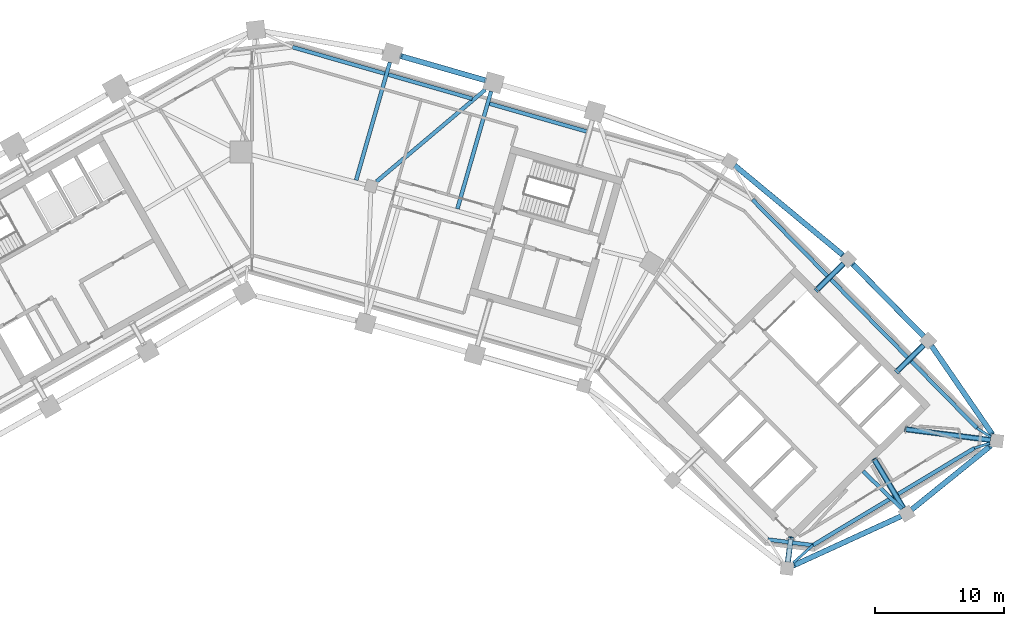
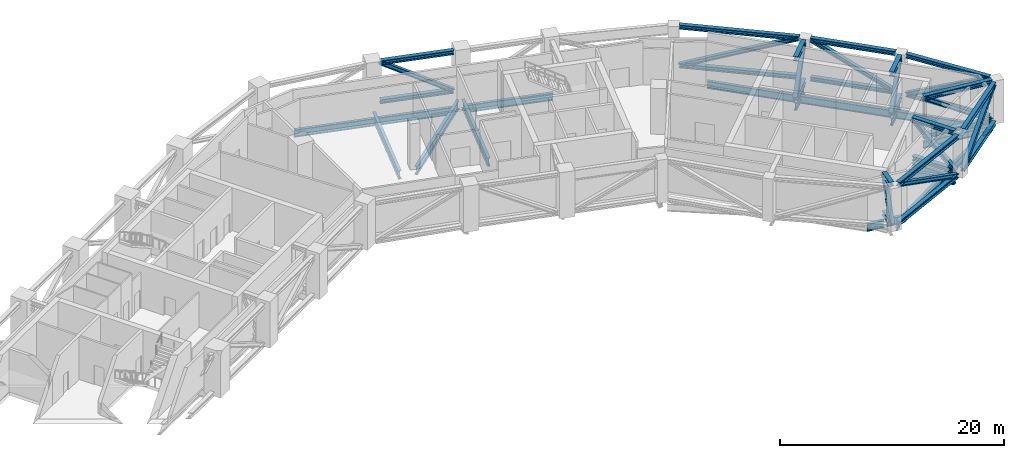
# One storey, part 4 of 16: 33 members, 21 beams.
"""IFC4 building model written with IfcOpenShell, lengths in metres."""

from ifc_helpers import new_model, si_unit, direction, frame, origin, origin_2d, place, context, subcontext, project, spatial, i_section, extrude, material, material_profile, profile_set, type_object, element, save


model = new_model("IFC4")

# Units and contexts
model_context = context("Model", 3, precision=1e-05, world=origin(), true_north=direction((0.0, 1.0)))
body_context = subcontext(model_context, "Body", "Model", "MODEL_VIEW")
ifc_project = project(units=[si_unit("LENGTHUNIT", "METRE"), si_unit("AREAUNIT", "SQUARE_METRE"), si_unit("VOLUMEUNIT", "CUBIC_METRE"), si_unit("PLANEANGLEUNIT", "RADIAN"), si_unit("MASSUNIT", "GRAM", prefix="KILO")], contexts=[model_context])

# Site, building, storey
site_placement = place(None, origin())
site = spatial("IfcSite", under=ifc_project, at=site_placement, CompositionType="ELEMENT")
building_placement = place(site_placement, origin())
building = spatial("IfcBuilding", under=site, at=building_placement, Name="Binnacle Exchange Tower", CompositionType="ELEMENT")
storey_placement = place(building_placement, frame((0.0, 0.0, 149.89990234375)))
storey = spatial("IfcBuildingStorey", under=building, at=storey_placement, Name="L31", CompositionType="ELEMENT", Elevation=149.89990234375)

# Members
ifc_material_1 = material(Name="Steel S460 (SHN460)", Category="steel")
ifc_material_profile_1 = material_profile(ifc_material_1, i_section(OverallWidth=0.4169921875, OverallDepth=0.4580078125, WebThickness=0.030029296875, FlangeThickness=0.050048828125, FilletRadius=0.02197265625, at=origin_2d()), Name="H 458x417x30x50")
ifc_profile_set_1 = profile_set([ifc_material_profile_1], Name="Steel S460 (SHN460)")
member_type_1 = type_object("IfcMemberType", Name="Belt truss chord BT31C H 458x417x30x50 Steel S460 (SHN460)", PredefinedType="CHORD", material=ifc_profile_set_1)
for number, where, z_axis, x_axis, name in (
    (1, (18.073486328125, 65.569091796875, 4.451171875), (-0.961258249907, 0.275649373272, 0.0), (-0.275649373272, -0.961258249907, 0.0), "S:TR:L31:BEL:007"),
    (2, (18.073486328125, 65.569091796875, 0.22900390625), (-0.961258249907, 0.275649373272, 0.0), (-0.275649373272, -0.961258249907, 0.0), "S:TR:L31:BEL:008"),
):
    element("IfcMember", number, at=place(storey_placement, frame(where, z_axis=z_axis, x_axis=x_axis)), inside=storey, type_object=member_type_1, Name=name, PredefinedType="CHORD", context=body_context, shape_type="SweptSolid", body=[
        extrude(i_section(OverallWidth=0.4169921875, OverallDepth=0.4580078125, WebThickness=0.030029296875, FlangeThickness=0.050048828125, FilletRadius=0.02197265625, at=origin_2d()), origin(), (0.0, 0.0, 1.0), 6.77294921875),
    ])
for number, where, z_axis, x_axis, name in (
    (3, (42.054931640625, 27.919921875, 4.451171875), (0.909166515566, 0.41643276405, 0.0), (-0.41643276405, 0.909166515566, 0.0), "S:TR:L31:BEL:070"),
    (4, (42.054931640625, 27.919921875, 0.22900390625), (0.909166515566, 0.41643276405, 0.0), (-0.41643276405, 0.909166515566, 0.0), "S:TR:L31:BEL:071"),
):
    element("IfcMember", number, at=place(storey_placement, frame(where, z_axis=z_axis, x_axis=x_axis)), inside=storey, type_object=member_type_1, Name=name, PredefinedType="CHORD", context=body_context, shape_type="SweptSolid", body=[
        extrude(i_section(OverallWidth=0.4169921875, OverallDepth=0.4580078125, WebThickness=0.030029296875, FlangeThickness=0.050048828125, FilletRadius=0.02197265625, at=origin_2d()), origin(), (0.0, 0.0, 1.0), 9.128662109375),
    ])
for number, where, z_axis, x_axis, name in (
    (5, (51.20458984375, 32.248291015625, 4.451171875), (0.777570349394, 0.628795953981, 0.0), (-0.628795953981, 0.777570349394, 0.0), "S:TR:L31:BEL:073"),
    (6, (51.20458984375, 32.248291015625, 0.22900390625), (0.777570349394, 0.628795953981, 0.0), (-0.628795953981, 0.777570349394, 0.0), "S:TR:L31:BEL:074"),
):
    element("IfcMember", number, at=place(storey_placement, frame(where, z_axis=z_axis, x_axis=x_axis)), inside=storey, type_object=member_type_1, Name=name, PredefinedType="CHORD", context=body_context, shape_type="SweptSolid", body=[
        extrude(i_section(OverallWidth=0.4169921875, OverallDepth=0.4580078125, WebThickness=0.030029296875, FlangeThickness=0.050048828125, FilletRadius=0.02197265625, at=origin_2d()), origin(), (0.0, 0.0, 1.0), 7.788330078125),
    ])
for number, where, z_axis, x_axis, name in (
    (7, (57.41943359375, 38.13330078125, 4.451171875), (-0.566410561214, 0.824123216604, 0.0), (-0.824123216604, -0.566410561214, 0.0), "S:TR:L31:BEL:076"),
    (8, (57.41943359375, 38.13330078125, 0.22900390625), (-0.566410561214, 0.824123216604, 0.0), (-0.824123216604, -0.566410561214, 0.0), "S:TR:L31:BEL:077"),
):
    element("IfcMember", number, at=place(storey_placement, frame(where, z_axis=z_axis, x_axis=x_axis)), inside=storey, type_object=member_type_1, Name=name, PredefinedType="CHORD", context=body_context, shape_type="SweptSolid", body=[
        extrude(i_section(OverallWidth=0.4169921875, OverallDepth=0.4580078125, WebThickness=0.030029296875, FlangeThickness=0.050048828125, FilletRadius=0.02197265625, at=origin_2d()), origin(), (0.0, 0.0, 1.0), 8.236083984375),
    ])
for number, where, z_axis, x_axis, name in (
    (9, (52.1162109375, 45.69580078125, 4.451171875), (-0.700892629455, 0.713266795789, 0.0), (-0.713266795789, -0.700892629455, 0.0), "S:TR:L31:BEL:079"),
    (10, (52.1162109375, 45.69580078125, 0.22900390625), (-0.700892629455, 0.713266795789, 0.0), (-0.713266795789, -0.700892629455, 0.0), "S:TR:L31:BEL:080"),
):
    element("IfcMember", number, at=place(storey_placement, frame(where, z_axis=z_axis, x_axis=x_axis)), inside=storey, type_object=member_type_1, Name=name, PredefinedType="CHORD", context=body_context, shape_type="SweptSolid", body=[
        extrude(i_section(OverallWidth=0.4169921875, OverallDepth=0.4580078125, WebThickness=0.030029296875, FlangeThickness=0.050048828125, FilletRadius=0.02197265625, at=origin_2d()), origin(), (0.0, 0.0, 1.0), 7.872314453125),
    ])
for number, where, z_axis, x_axis, name in (
    (11, (45.861083984375, 51.988037109375, 4.451171875), (-0.769903256509, 0.63816061898, 0.0), (-0.63816061898, -0.769903256509, 0.0), "S:TR:L31:BEL:082"),
    (12, (45.861083984375, 51.988037109375, 0.22900390625), (-0.769903256509, 0.63816061898, 0.0), (-0.63816061898, -0.769903256509, 0.0), "S:TR:L31:BEL:083"),
):
    element("IfcMember", number, at=place(storey_placement, frame(where, z_axis=z_axis, x_axis=x_axis)), inside=storey, type_object=member_type_1, Name=name, PredefinedType="CHORD", context=body_context, shape_type="SweptSolid", body=[
        extrude(i_section(OverallWidth=0.4169921875, OverallDepth=0.4580078125, WebThickness=0.030029296875, FlangeThickness=0.050048828125, FilletRadius=0.02197265625, at=origin_2d()), origin(), (0.0, 0.0, 1.0), 10.892822265625),
    ])
ifc_material_2 = material(Name="Steel S355 (SHN355)", Category="steel")
ifc_material_profile_2 = material_profile(ifc_material_2, i_section(OverallWidth=0.403076171875, OverallDepth=0.406005859375, WebThickness=0.01611328125, FlangeThickness=0.02392578125, FilletRadius=0.02197265625, at=origin_2d()), Name="H 406x403x16x24")
ifc_profile_set_2 = profile_set([ifc_material_profile_2], Name="Steel S355 (SHN355)")
member_type_2 = type_object("IfcMemberType", Name="Belt truss diagonal BT31D H 406x403x16x24 Steel S355 (SHN355)", PredefinedType="BRACE", material=ifc_profile_set_2)
member_1_placement = place(storey_placement, frame((18.073486328125, 65.569091796875, 0.22900390625), z_axis=(-0.815734269946, 0.233919074597, 0.529017454698), x_axis=(-0.275649373272, -0.961258249907, 0.0)))
element("IfcMember", 13, at=member_1_placement, inside=storey, type_object=member_type_2, Name="S:TR:L31:BEL:009", PredefinedType="BRACE", context=body_context, shape_type="SweptSolid", body=[
    extrude(i_section(OverallWidth=0.403076171875, OverallDepth=0.406005859375, WebThickness=0.01611328125, FlangeThickness=0.02392578125, FilletRadius=0.02197265625, at=origin_2d()), origin(), (0.0, 0.0, 1.0), 7.981201171875),
])
member_2_placement = place(storey_placement, frame((42.054931640625, 27.919921875, 4.451171875), z_axis=(0.825180061275, 0.377963780971, -0.419787144571), x_axis=(-0.41643276405, 0.909166515566, 0.0)))
element("IfcMember", 14, at=member_2_placement, inside=storey, type_object=member_type_2, Name="S:TR:L31:BEL:072", PredefinedType="BRACE", context=body_context, shape_type="SweptSolid", body=[
    extrude(i_section(OverallWidth=0.403076171875, OverallDepth=0.406005859375, WebThickness=0.01611328125, FlangeThickness=0.02392578125, FilletRadius=0.02197265625, at=origin_2d()), origin(), (0.0, 0.0, 1.0), 10.057861328125),
])
member_3_placement = place(storey_placement, frame((51.20458984375, 32.248291015625, 0.22900390625), z_axis=(0.683581366643, 0.552790108183, 0.476591661146), x_axis=(-0.628795953981, 0.777570349394, 0.0)))
element("IfcMember", 15, at=member_3_placement, inside=storey, type_object=member_type_2, Name="S:TR:L31:BEL:075", PredefinedType="BRACE", context=body_context, shape_type="SweptSolid", body=[
    extrude(i_section(OverallWidth=0.403076171875, OverallDepth=0.406005859375, WebThickness=0.01611328125, FlangeThickness=0.02392578125, FilletRadius=0.02197265625, at=origin_2d()), origin(), (0.0, 0.0, 1.0), 8.859130859375),
])
member_4_placement = place(storey_placement, frame((57.41943359375, 38.13330078125, 4.451171875), z_axis=(-0.504039170488, 0.733373300079, -0.456188686122), x_axis=(-0.824123216604, -0.566410561214, 0.0)))
element("IfcMember", 16, at=member_4_placement, inside=storey, type_object=member_type_2, Name="S:TR:L31:BEL:078", PredefinedType="BRACE", context=body_context, shape_type="SweptSolid", body=[
    extrude(i_section(OverallWidth=0.403076171875, OverallDepth=0.406005859375, WebThickness=0.01611328125, FlangeThickness=0.02392578125, FilletRadius=0.02197265625, at=origin_2d()), origin(), (0.0, 0.0, 1.0), 9.25537109375),
])
member_5_placement = place(storey_placement, frame((52.1162109375, 45.69580078125, 0.22900390625), z_axis=(-0.617662400856, 0.628567148553, 0.472648387629), x_axis=(-0.713266795789, -0.700892629455, 0.0)))
element("IfcMember", 17, at=member_5_placement, inside=storey, type_object=member_type_2, Name="S:TR:L31:BEL:081", PredefinedType="BRACE", context=body_context, shape_type="SweptSolid", body=[
    extrude(i_section(OverallWidth=0.403076171875, OverallDepth=0.406005859375, WebThickness=0.01611328125, FlangeThickness=0.02392578125, FilletRadius=0.02197265625, at=origin_2d()), origin(), (0.0, 0.0, 1.0), 8.93310546875),
])
member_6_placement = place(storey_placement, frame((45.861083984375, 51.988037109375, 4.451171875), z_axis=(-0.717863706023, 0.595025859556, -0.361408253965), x_axis=(-0.63816061898, -0.769903256509, 0.0)))
element("IfcMember", 18, at=member_6_placement, inside=storey, type_object=member_type_2, Name="S:TR:L31:BEL:084", PredefinedType="BRACE", context=body_context, shape_type="SweptSolid", body=[
    extrude(i_section(OverallWidth=0.403076171875, OverallDepth=0.406005859375, WebThickness=0.01611328125, FlangeThickness=0.02392578125, FilletRadius=0.02197265625, at=origin_2d()), origin(), (0.0, 0.0, 1.0), 11.6826171875),
])

# Beams
ifc_material_profile_3 = material_profile(ifc_material_2, i_section(OverallWidth=0.300048828125, OverallDepth=0.800048828125, WebThickness=0.013916015625, FlangeThickness=0.02587890625, FilletRadius=0.028076171875, at=origin_2d()), Name="H 800x300x14x26")
ifc_profile_set_3 = profile_set([ifc_material_profile_3], Name="Steel S355 (SHN355)")
beam_type_1 = type_object("IfcBeamType", Name="Edge girder H 800x300x14x26 Steel S355 (SHN355)", PredefinedType="SPANDREL", material=ifc_profile_set_3)
beam_1_placement = place(storey_placement, frame((3.1298828125, 68.1376953125, -0.75), z_axis=(0.96125760514, -0.275651621726, 0.0), x_axis=(0.275651621726, 0.96125760514, 0.0)))
element("IfcBeam", 19, at=beam_1_placement, inside=storey, type_object=beam_type_1, Name="S:BM:edge:L31:033", PredefinedType="SPANDREL", context=body_context, shape_type="SweptSolid", body=[
    extrude(i_section(OverallWidth=0.300048828125, OverallDepth=0.800048828125, WebThickness=0.013916015625, FlangeThickness=0.02587890625, FilletRadius=0.028076171875, at=origin_2d()), origin(), (0.0, 0.0, 1.0), 7.449462890625),
])
beam_2_placement = place(storey_placement, frame((10.5791015625, 66.001708984375, -0.75), z_axis=(0.961253963763, -0.275664319689, 0.0), x_axis=(0.275664319689, 0.961253963763, 0.0)))
element("IfcBeam", 20, at=beam_2_placement, inside=storey, type_object=beam_type_1, Name="S:BM:edge:L31:035", PredefinedType="SPANDREL", context=body_context, shape_type="SweptSolid", body=[
    extrude(i_section(OverallWidth=0.300048828125, OverallDepth=0.800048828125, WebThickness=0.013916015625, FlangeThickness=0.02587890625, FilletRadius=0.028076171875, at=origin_2d()), origin(), (0.0, 0.0, 1.0), 6.76806640625),
])
beam_3_placement = place(storey_placement, frame((18.435546875, 63.748779296875, -0.75), z_axis=(0.961260218753, -0.275642507323, 0.0), x_axis=(0.275642507323, 0.961260218753, 0.0)))
element("IfcBeam", 21, at=beam_3_placement, inside=storey, type_object=beam_type_1, Name="S:BM:edge:L31:037", PredefinedType="SPANDREL", context=body_context, shape_type="SweptSolid", body=[
    extrude(i_section(OverallWidth=0.300048828125, OverallDepth=0.800048828125, WebThickness=0.013916015625, FlangeThickness=0.02587890625, FilletRadius=0.028076171875, at=origin_2d()), origin(), (0.0, 0.0, 1.0), 7.873046875),
])
beam_4_placement = place(storey_placement, frame((38.833251953125, 56.302490234375, -0.75), z_axis=(0.700898201799, -0.713261320075, 0.0), x_axis=(0.713261320075, 0.700898201799, 0.0)))
element("IfcBeam", 22, at=beam_4_placement, inside=storey, type_object=beam_type_1, Name="S:BM:edge:L31:043", PredefinedType="SPANDREL", context=body_context, shape_type="SweptSolid", body=[
    extrude(i_section(OverallWidth=0.300048828125, OverallDepth=0.800048828125, WebThickness=0.013916015625, FlangeThickness=0.02587890625, FilletRadius=0.028076171875, at=origin_2d()), origin(), (0.0, 0.0, 1.0), 8.353271484375),
])
beam_5_placement = place(storey_placement, frame((41.6279296875, 29.717529296875, -0.75), z_axis=(-0.992007233584, 0.126181014882, 0.0), x_axis=(-0.126181014882, -0.992007233584, 0.0)))
element("IfcBeam", 23, at=beam_5_placement, inside=storey, type_object=beam_type_1, Name="S:BM:edge:L31:045", PredefinedType="SPANDREL", context=body_context, shape_type="SweptSolid", body=[
    extrude(i_section(OverallWidth=0.300048828125, OverallDepth=0.800048828125, WebThickness=0.013916015625, FlangeThickness=0.02587890625, FilletRadius=0.028076171875, at=origin_2d()), origin(), (0.0, 0.0, 1.0), 1.60986328125),
])
beam_6_placement = place(storey_placement, frame((43.5234375, 29.476318359375, -0.75), z_axis=(-0.991997911724, 0.126254279674, 0.0), x_axis=(-0.126254279674, -0.991997911724, 0.0)))
element("IfcBeam", 24, at=beam_6_placement, inside=storey, type_object=beam_type_1, Name="S:BM:edge:L31:046", PredefinedType="SPANDREL", context=body_context, shape_type="SweptSolid", body=[
    extrude(i_section(OverallWidth=0.300048828125, OverallDepth=0.800048828125, WebThickness=0.013916015625, FlangeThickness=0.02587890625, FilletRadius=0.028076171875, at=origin_2d()), origin(), (0.0, 0.0, 1.0), 1.61083984375),
])
beam_7_placement = place(storey_placement, frame((44.898193359375, 50.130615234375, -0.75), z_axis=(0.700899302003, -0.713260238939, 0.0), x_axis=(0.713260238939, 0.700899302003, 0.0)))
element("IfcBeam", 25, at=beam_7_placement, inside=storey, type_object=beam_type_1, Name="S:BM:edge:L31:047", PredefinedType="SPANDREL", context=body_context, shape_type="SweptSolid", body=[
    extrude(i_section(OverallWidth=0.300048828125, OverallDepth=0.800048828125, WebThickness=0.013916015625, FlangeThickness=0.02587890625, FilletRadius=0.028076171875, at=origin_2d()), origin(), (0.0, 0.0, 1.0), 8.572021484375),
])
beam_8_placement = place(storey_placement, frame((49.833984375, 33.268310546875, -0.75), z_axis=(-0.857153323442, -0.515061336262, 0.0), x_axis=(0.515061336262, -0.857153323442, 0.0)))
element("IfcBeam", 26, at=beam_8_placement, inside=storey, type_object=beam_type_1, Name="S:BM:edge:L31:048", PredefinedType="SPANDREL", context=body_context, shape_type="SweptSolid", body=[
    extrude(i_section(OverallWidth=0.300048828125, OverallDepth=0.800048828125, WebThickness=0.013916015625, FlangeThickness=0.02587890625, FilletRadius=0.028076171875, at=origin_2d()), origin(), (0.0, 0.0, 1.0), 7.3623046875),
])
beam_9_placement = place(storey_placement, frame((51.11669921875, 43.802734375, -0.75), z_axis=(0.700893017941, -0.713266414043, 0.0), x_axis=(0.713266414043, 0.700893017941, 0.0)))
element("IfcBeam", 27, at=beam_9_placement, inside=storey, type_object=beam_type_1, Name="S:BM:edge:L31:049", PredefinedType="SPANDREL", context=body_context, shape_type="SweptSolid", body=[
    extrude(i_section(OverallWidth=0.300048828125, OverallDepth=0.800048828125, WebThickness=0.013916015625, FlangeThickness=0.02587890625, FilletRadius=0.028076171875, at=origin_2d()), origin(), (0.0, 0.0, 1.0), 7.340087890625),
])
beam_10_placement = place(storey_placement, frame((56.063232421875, 37.010986328125, -0.75), z_axis=(-0.857161910898, -0.515047044944, 0.0), x_axis=(0.515047044944, -0.857161910898, 0.0)))
element("IfcBeam", 28, at=beam_10_placement, inside=storey, type_object=beam_type_1, Name="S:BM:edge:L31:050", PredefinedType="SPANDREL", context=body_context, shape_type="SweptSolid", body=[
    extrude(i_section(OverallWidth=0.300048828125, OverallDepth=0.800048828125, WebThickness=0.013916015625, FlangeThickness=0.02587890625, FilletRadius=0.028076171875, at=origin_2d()), origin(), (0.0, 0.0, 1.0), 6.967041015625),
])
ifc_material_profile_4 = material_profile(ifc_material_2, i_section(OverallWidth=0.199951171875, OverallDepth=0.39990234375, WebThickness=0.008056640625, FlangeThickness=0.012939453125, FilletRadius=0.01611328125, at=origin_2d()), Name="H 400x200x8x13")
ifc_profile_set_4 = profile_set([ifc_material_profile_4], Name="Steel S355 (SHN355)")
beam_type_2 = type_object("IfcBeamType", Name="Floor beam H 400x200x8x13 Steel S355 (SHN355)", PredefinedType="BEAM", material=ifc_profile_set_4)
beam_11_placement = place(storey_placement, frame((42.0107421875, 28.116455078125, -0.5498046875), z_axis=(0.743675983655, 0.668540224171, 0.0), x_axis=(-0.668540224171, 0.743675983655, 0.0)))
element("IfcBeam", 29, at=beam_11_placement, inside=storey, type_object=beam_type_2, Name="S:BM:cross:L31:081", PredefinedType="BEAM", context=body_context, shape_type="SweptSolid", body=[
    extrude(i_section(OverallWidth=0.199951171875, OverallDepth=0.39990234375, WebThickness=0.008056640625, FlangeThickness=0.012939453125, FilletRadius=0.01611328125, at=origin_2d()), origin(), (0.0, 0.0, 1.0), 2.0341796875),
])
beam_12_placement = place(storey_placement, frame((57.27294921875, 37.408203125, -0.5498046875), z_axis=(-0.950092655388, -0.31196786081, 0.0), x_axis=(0.31196786081, -0.950092655388, 0.0)))
element("IfcBeam", 30, at=beam_12_placement, inside=storey, type_object=beam_type_2, Name="S:BM:cross:L31:085", PredefinedType="BEAM", context=body_context, shape_type="SweptSolid", body=[
    extrude(i_section(OverallWidth=0.199951171875, OverallDepth=0.39990234375, WebThickness=0.008056640625, FlangeThickness=0.012939453125, FilletRadius=0.01611328125, at=origin_2d()), origin(), (0.0, 0.0, 1.0), 1.273193359375),
])
beam_13_placement = place(storey_placement, frame((57.3330078125, 37.8798828125, -0.5498046875), z_axis=(-0.841713811241, 0.539923939056, 0.0), x_axis=(-0.539923939056, -0.841713811241, 0.0)))
element("IfcBeam", 31, at=beam_13_placement, inside=storey, type_object=beam_type_2, Name="S:BM:cross:L31:087", PredefinedType="BEAM", context=body_context, shape_type="SweptSolid", body=[
    extrude(i_section(OverallWidth=0.199951171875, OverallDepth=0.39990234375, WebThickness=0.008056640625, FlangeThickness=0.012939453125, FilletRadius=0.01611328125, at=origin_2d()), origin(), (0.0, 0.0, 1.0), 1.2734375),
])
ifc_material_profile_5 = material_profile(ifc_material_2, i_section(OverallWidth=0.300048828125, OverallDepth=0.699951171875, WebThickness=0.012939453125, FlangeThickness=0.02392578125, FilletRadius=0.028076171875, at=origin_2d()), Name="H 700x300x13x24")
ifc_profile_set_5 = profile_set([ifc_material_profile_5], Name="Steel S355 (SHN355)")
beam_type_3 = type_object("IfcBeamType", Name="Floor beam H 700x300x13x24 Steel S355 (SHN355)", PredefinedType="BEAM", material=ifc_profile_set_5)
beam_14_placement = place(storey_placement, frame((57.302978515625, 37.64404296875, -0.699951171875), z_axis=(-0.992004198178, 0.12620487628, 0.0), x_axis=(-0.12620487628, -0.992004198178, 0.0)))
element("IfcBeam", 32, at=beam_14_placement, inside=storey, type_object=beam_type_3, Name="S:BM:cross:L31:086", PredefinedType="BEAM", context=body_context, shape_type="SweptSolid", body=[
    extrude(i_section(OverallWidth=0.300048828125, OverallDepth=0.699951171875, WebThickness=0.012939453125, FlangeThickness=0.02392578125, FilletRadius=0.028076171875, at=origin_2d()), origin(), (0.0, 0.0, 1.0), 6.63134765625),
])
ifc_material_profile_6 = material_profile(ifc_material_2, i_section(OverallWidth=0.300048828125, OverallDepth=0.800048828125, WebThickness=0.013916015625, FlangeThickness=0.02587890625, FilletRadius=0.028076171875, at=origin_2d()), Name="H 800x300x14x26")
ifc_profile_set_6 = profile_set([ifc_material_profile_6], Name="Steel S355 (SHN355)")
beam_type_4 = type_object("IfcBeamType", Name="Floor beam H 800x300x14x26 Steel S355 (SHN355)", PredefinedType="BEAM", material=ifc_profile_set_6)
beam_15_placement = place(storey_placement, frame((45.8916015625, 51.31689453125, -0.75), z_axis=(-0.713272005304, -0.700887327928, 0.0), x_axis=(0.700887327928, -0.713272005304, 0.0)))
element("IfcBeam", 33, at=beam_15_placement, inside=storey, type_object=beam_type_4, Name="S:BM:cross:L31:082", PredefinedType="BEAM", context=body_context, shape_type="SweptSolid", body=[
    extrude(i_section(OverallWidth=0.300048828125, OverallDepth=0.800048828125, WebThickness=0.013916015625, FlangeThickness=0.02587890625, FilletRadius=0.028076171875, at=origin_2d()), origin(), (0.0, 0.0, 1.0), 2.8583984375),
])
beam_16_placement = place(storey_placement, frame((50.554443359375, 32.359619140625, -0.75), z_axis=(-0.515054637465, 0.857157348697, 0.0), x_axis=(-0.857157348697, -0.515054637465, 0.0)))
element("IfcBeam", 34, at=beam_16_placement, inside=storey, type_object=beam_type_4, Name="S:BM:cross:L31:083", PredefinedType="BEAM", context=body_context, shape_type="SweptSolid", body=[
    extrude(i_section(OverallWidth=0.300048828125, OverallDepth=0.800048828125, WebThickness=0.013916015625, FlangeThickness=0.02587890625, FilletRadius=0.028076171875, at=origin_2d()), origin(), (0.0, 0.0, 1.0), 4.367431640625),
])
beam_17_placement = place(storey_placement, frame((52.110107421875, 44.98876953125, -0.75), z_axis=(-0.713272005304, -0.700887327928, 0.0), x_axis=(0.700887327928, -0.713272005304, 0.0)))
element("IfcBeam", 35, at=beam_17_placement, inside=storey, type_object=beam_type_4, Name="S:BM:cross:L31:084", PredefinedType="BEAM", context=body_context, shape_type="SweptSolid", body=[
    extrude(i_section(OverallWidth=0.300048828125, OverallDepth=0.800048828125, WebThickness=0.013916015625, FlangeThickness=0.02587890625, FilletRadius=0.028076171875, at=origin_2d()), origin(), (0.0, 0.0, 1.0), 2.8583984375),
])
ifc_material_profile_7 = material_profile(ifc_material_2, i_section(OverallWidth=0.302001953125, OverallDepth=0.912109375, WebThickness=0.01806640625, FlangeThickness=0.033935546875, FilletRadius=0.028076171875, at=origin_2d()), Name="H 912x302x18x34")
ifc_profile_set_7 = profile_set([ifc_material_profile_7], Name="Steel S355 (SHN355)")
beam_type_5 = type_object("IfcBeamType", Name="Floor beam H 912x302x18x34 Steel S355 (SHN355)", PredefinedType="BEAM", material=ifc_profile_set_7)
beam_18_placement = place(storey_placement, frame((10.697021484375, 66.9560546875, -0.805908203125), z_axis=(-0.27562260808, -0.961265924661, 0.0), x_axis=(0.961265924661, -0.27562260808, 0.0)))
element("IfcBeam", 36, at=beam_18_placement, inside=storey, type_object=beam_type_5, Name="S:BM:cross:L31:070", PredefinedType="BEAM", context=body_context, shape_type="SweptSolid", body=[
    extrude(i_section(OverallWidth=0.302001953125, OverallDepth=0.912109375, WebThickness=0.01806640625, FlangeThickness=0.033935546875, FilletRadius=0.028076171875, at=origin_2d()), origin(), (0.0, 0.0, 1.0), 9.51318359375),
])
beam_19_placement = place(storey_placement, frame((18.553466796875, 64.703369140625, -0.805908203125), z_axis=(-0.275642274849, -0.961260285415, 0.0), x_axis=(0.961260285415, -0.275642274849, 0.0)))
element("IfcBeam", 37, at=beam_19_placement, inside=storey, type_object=beam_type_5, Name="S:BM:cross:L31:072", PredefinedType="BEAM", context=body_context, shape_type="SweptSolid", body=[
    extrude(i_section(OverallWidth=0.302001953125, OverallDepth=0.912109375, WebThickness=0.01806640625, FlangeThickness=0.033935546875, FilletRadius=0.028076171875, at=origin_2d()), origin(), (0.0, 0.0, 1.0), 9.485107421875),
])

# Members
ifc_material_profile_8 = material_profile(ifc_material_1, i_section(OverallWidth=0.431884765625, OverallDepth=0.498046875, WebThickness=0.044921875, FlangeThickness=0.070068359375, FilletRadius=0.02197265625, at=origin_2d()), Name="H 498x432x45x70")
ifc_profile_set_8 = profile_set([ifc_material_profile_8], Name="Steel S460 (SHN460)")
member_type_3 = type_object("IfcMemberType", Name="Outrigger truss chord OT31C H 498x432x45x70 Steel S460 (SHN460)", PredefinedType="CHORD", material=ifc_profile_set_8)
for number, where, z_axis, x_axis, name in (
    (38, (41.582763671875, 28.1708984375, 4.43115234375), (0.126215260257, 0.992002877051, 0.0), (-0.992002877051, 0.126215260257, 0.0), "S:TR:L31:OUT:103"),
    (39, (41.582763671875, 28.1708984375, 0.2490234375), (0.126215260257, 0.992002877051, 0.0), (-0.992002877051, 0.126215260257, 0.0), "S:TR:L31:OUT:104"),
):
    element("IfcMember", number, at=place(storey_placement, frame(where, z_axis=z_axis, x_axis=x_axis)), inside=storey, type_object=member_type_3, Name=name, PredefinedType="CHORD", context=body_context, shape_type="SweptSolid", body=[
        extrude(i_section(OverallWidth=0.431884765625, OverallDepth=0.498046875, WebThickness=0.044921875, FlangeThickness=0.070068359375, FilletRadius=0.02197265625, at=origin_2d()), origin(), (0.0, 0.0, 1.0), 1.791259765625),
    ])
for number, where, z_axis, x_axis, name in (
    (40, (45.8916015625, 51.31689453125, 4.43115234375), (-0.713230064375, -0.700930007399, 0.0), (0.700930007399, -0.713230064375, 0.0), "S:TR:L31:OUT:106"),
    (41, (45.8916015625, 51.31689453125, 0.2490234375), (-0.713230064375, -0.700930007399, 0.0), (0.700930007399, -0.713230064375, 0.0), "S:TR:L31:OUT:107"),
):
    element("IfcMember", number, at=place(storey_placement, frame(where, z_axis=z_axis, x_axis=x_axis)), inside=storey, type_object=member_type_3, Name=name, PredefinedType="CHORD", context=body_context, shape_type="SweptSolid", body=[
        extrude(i_section(OverallWidth=0.431884765625, OverallDepth=0.498046875, WebThickness=0.044921875, FlangeThickness=0.070068359375, FilletRadius=0.02197265625, at=origin_2d()), origin(), (0.0, 0.0, 1.0), 2.818603515625),
    ])
for number, where, z_axis, x_axis, name in (
    (42, (50.554443359375, 32.359619140625, 4.43115234375), (-0.515018334118, 0.857179161857, 0.0), (-0.857179161857, -0.515018334118, 0.0), "S:TR:L31:OUT:109"),
    (43, (50.554443359375, 32.359619140625, 0.2490234375), (-0.515018334118, 0.857179161857, 0.0), (-0.857179161857, -0.515018334118, 0.0), "S:TR:L31:OUT:110"),
):
    element("IfcMember", number, at=place(storey_placement, frame(where, z_axis=z_axis, x_axis=x_axis)), inside=storey, type_object=member_type_3, Name=name, PredefinedType="CHORD", context=body_context, shape_type="SweptSolid", body=[
        extrude(i_section(OverallWidth=0.431884765625, OverallDepth=0.498046875, WebThickness=0.044921875, FlangeThickness=0.070068359375, FilletRadius=0.02197265625, at=origin_2d()), origin(), (0.0, 0.0, 1.0), 4.32763671875),
    ])
for number, where, z_axis, x_axis, name in (
    (44, (52.110107421875, 44.98876953125, 4.43115234375), (-0.71327336915, -0.70088593998, 0.0), (0.70088593998, -0.71327336915, 0.0), "S:TR:L31:OUT:112"),
    (45, (52.110107421875, 44.98876953125, 0.2490234375), (-0.71327336915, -0.70088593998, 0.0), (0.70088593998, -0.71327336915, 0.0), "S:TR:L31:OUT:113"),
):
    element("IfcMember", number, at=place(storey_placement, frame(where, z_axis=z_axis, x_axis=x_axis)), inside=storey, type_object=member_type_3, Name=name, PredefinedType="CHORD", context=body_context, shape_type="SweptSolid", body=[
        extrude(i_section(OverallWidth=0.431884765625, OverallDepth=0.498046875, WebThickness=0.044921875, FlangeThickness=0.070068359375, FilletRadius=0.02197265625, at=origin_2d()), origin(), (0.0, 0.0, 1.0), 2.818359375),
    ])
for number, where, z_axis, x_axis, name in (
    (46, (57.302978515625, 37.64404296875, 4.43115234375), (-0.992006006616, 0.126190660663, 0.0), (-0.126190660663, -0.992006006616, 0.0), "S:TR:L31:OUT:115"),
    (47, (57.302978515625, 37.64404296875, 0.2490234375), (-0.992006006616, 0.126190660663, 0.0), (-0.126190660663, -0.992006006616, 0.0), "S:TR:L31:OUT:116"),
):
    element("IfcMember", number, at=place(storey_placement, frame(where, z_axis=z_axis, x_axis=x_axis)), inside=storey, type_object=member_type_3, Name=name, PredefinedType="CHORD", context=body_context, shape_type="SweptSolid", body=[
        extrude(i_section(OverallWidth=0.431884765625, OverallDepth=0.498046875, WebThickness=0.044921875, FlangeThickness=0.070068359375, FilletRadius=0.02197265625, at=origin_2d()), origin(), (0.0, 0.0, 1.0), 6.591552734375),
    ])
ifc_material_profile_9 = material_profile(ifc_material_2, i_section(OverallWidth=0.406982421875, OverallDepth=0.427978515625, WebThickness=0.02001953125, FlangeThickness=0.034912109375, FilletRadius=0.02197265625, at=origin_2d()), Name="H 428x407x20x35")
ifc_profile_set_9 = profile_set([ifc_material_profile_9], Name="Steel S355 (SHN355)")
member_type_4 = type_object("IfcMemberType", Name="Outrigger truss diagonal OT31D H 428x407x20x35 Steel S355 (SHN355)", PredefinedType="BRACE", material=ifc_profile_set_9)
member_7_placement = place(storey_placement, frame((41.582763671875, 28.1708984375, 0.2490234375), z_axis=(0.049691409714, 0.390555161878, 0.919237417282), x_axis=(-0.992002877051, 0.126215260257, 0.0)))
element("IfcMember", 48, at=member_7_placement, inside=storey, type_object=member_type_4, Name="S:TR:L31:OUT:105", PredefinedType="BRACE", context=body_context, shape_type="SweptSolid", body=[
    extrude(i_section(OverallWidth=0.406982421875, OverallDepth=0.427978515625, WebThickness=0.02001953125, FlangeThickness=0.034912109375, FilletRadius=0.02197265625, at=origin_2d()), origin(), (0.0, 0.0, 1.0), 4.549560546875),
])
member_8_placement = place(storey_placement, frame((45.8916015625, 51.31689453125, 4.43115234375), z_axis=(-0.398603711247, -0.391729564174, -0.829254502509), x_axis=(0.700930007399, -0.713230064375, 0.0)))
element("IfcMember", 49, at=member_8_placement, inside=storey, type_object=member_type_4, Name="S:TR:L31:OUT:108", PredefinedType="BRACE", context=body_context, shape_type="SweptSolid", body=[
    extrude(i_section(OverallWidth=0.406982421875, OverallDepth=0.427978515625, WebThickness=0.02001953125, FlangeThickness=0.034912109375, FilletRadius=0.02197265625, at=origin_2d()), origin(), (0.0, 0.0, 1.0), 5.043212890625),
])
member_9_placement = place(storey_placement, frame((50.554443359375, 32.359619140625, 0.2490234375), z_axis=(-0.370341573823, 0.616384036879, 0.694922900601), x_axis=(-0.857179161857, -0.515018334118, 0.0)))
element("IfcMember", 50, at=member_9_placement, inside=storey, type_object=member_type_4, Name="S:TR:L31:OUT:111", PredefinedType="BRACE", context=body_context, shape_type="SweptSolid", body=[
    extrude(i_section(OverallWidth=0.406982421875, OverallDepth=0.427978515625, WebThickness=0.02001953125, FlangeThickness=0.034912109375, FilletRadius=0.02197265625, at=origin_2d()), origin(), (0.0, 0.0, 1.0), 6.01806640625),
])
member_10_placement = place(storey_placement, frame((52.110107421875, 44.98876953125, 4.43115234375), z_axis=(-0.398611269887, -0.391688582057, -0.829270227492), x_axis=(0.70088593998, -0.71327336915, 0.0)))
element("IfcMember", 51, at=member_10_placement, inside=storey, type_object=member_type_4, Name="S:TR:L31:OUT:114", PredefinedType="BRACE", context=body_context, shape_type="SweptSolid", body=[
    extrude(i_section(OverallWidth=0.406982421875, OverallDepth=0.427978515625, WebThickness=0.02001953125, FlangeThickness=0.034912109375, FilletRadius=0.02197265625, at=origin_2d()), origin(), (0.0, 0.0, 1.0), 5.043212890625),
])
member_11_placement = place(storey_placement, frame((57.302978515625, 37.64404296875, 0.2490234375), z_axis=(-0.837634198132, 0.106553400031, 0.535738110518), x_axis=(-0.126190660663, -0.992006006616, 0.0)))
element("IfcMember", 52, at=member_11_placement, inside=storey, type_object=member_type_4, Name="S:TR:L31:OUT:117", PredefinedType="BRACE", context=body_context, shape_type="SweptSolid", body=[
    extrude(i_section(OverallWidth=0.406982421875, OverallDepth=0.427978515625, WebThickness=0.02001953125, FlangeThickness=0.034912109375, FilletRadius=0.02197265625, at=origin_2d()), origin(), (0.0, 0.0, 1.0), 7.806396484375),
])

# Beams
ifc_material_profile_10 = material_profile(ifc_material_2, i_section(OverallWidth=0.300048828125, OverallDepth=0.800048828125, WebThickness=0.013916015625, FlangeThickness=0.02587890625, FilletRadius=0.028076171875, at=origin_2d()), Name="H 800x300x14x26")
ifc_profile_set_10 = profile_set([ifc_material_profile_10], Name="Steel S355 (SHN355)")
beam_type_6 = type_object("IfcBeamType", Name="Spine girder H 800x300x14x26 Steel S355 (SHN355)", PredefinedType="BEAM", material=ifc_profile_set_10)
beam_20_placement = place(storey_placement, frame((47.417236328125, 35.23095703125, -0.75), z_axis=(0.71705117811, -0.697020521915, 0.0), x_axis=(0.697020521915, 0.71705117811, 0.0)))
element("IfcBeam", 53, at=beam_20_placement, inside=storey, type_object=beam_type_6, Name="S:BM:spine:L31:014", PredefinedType="BEAM", context=body_context, shape_type="SweptSolid", body=[
    extrude(i_section(OverallWidth=0.300048828125, OverallDepth=0.800048828125, WebThickness=0.013916015625, FlangeThickness=0.02587890625, FilletRadius=0.028076171875, at=origin_2d()), origin(), (0.0, 0.0, 1.0), 4.21728515625),
])
ifc_material_profile_11 = material_profile(ifc_material_2, i_section(OverallWidth=0.302001953125, OverallDepth=0.912109375, WebThickness=0.01806640625, FlangeThickness=0.033935546875, FilletRadius=0.028076171875, at=origin_2d()), Name="H 912x302x18x34")
ifc_profile_set_11 = profile_set([ifc_material_profile_11], Name="Steel S355 (SHN355)")
beam_type_7 = type_object("IfcBeamType", Name="Spine girder H 912x302x18x34 Steel S355 (SHN355)", PredefinedType="BEAM", material=ifc_profile_set_11)
beam_21_placement = place(storey_placement, frame((9.65478515625, 57.69970703125, -0.805908203125), z_axis=(0.764067648684, 0.645136131552, 0.0), x_axis=(-0.645136131552, 0.764067648684, 0.0)))
element("IfcBeam", 54, at=beam_21_placement, inside=storey, type_object=beam_type_7, Name="S:BM:spine:L31:008", PredefinedType="BEAM", context=body_context, shape_type="SweptSolid", body=[
    extrude(i_section(OverallWidth=0.302001953125, OverallDepth=0.912109375, WebThickness=0.01806640625, FlangeThickness=0.033935546875, FilletRadius=0.028076171875, at=origin_2d()), origin(), (0.0, 0.0, 1.0), 11.056396484375),
])

save(model, "model.ifc")
